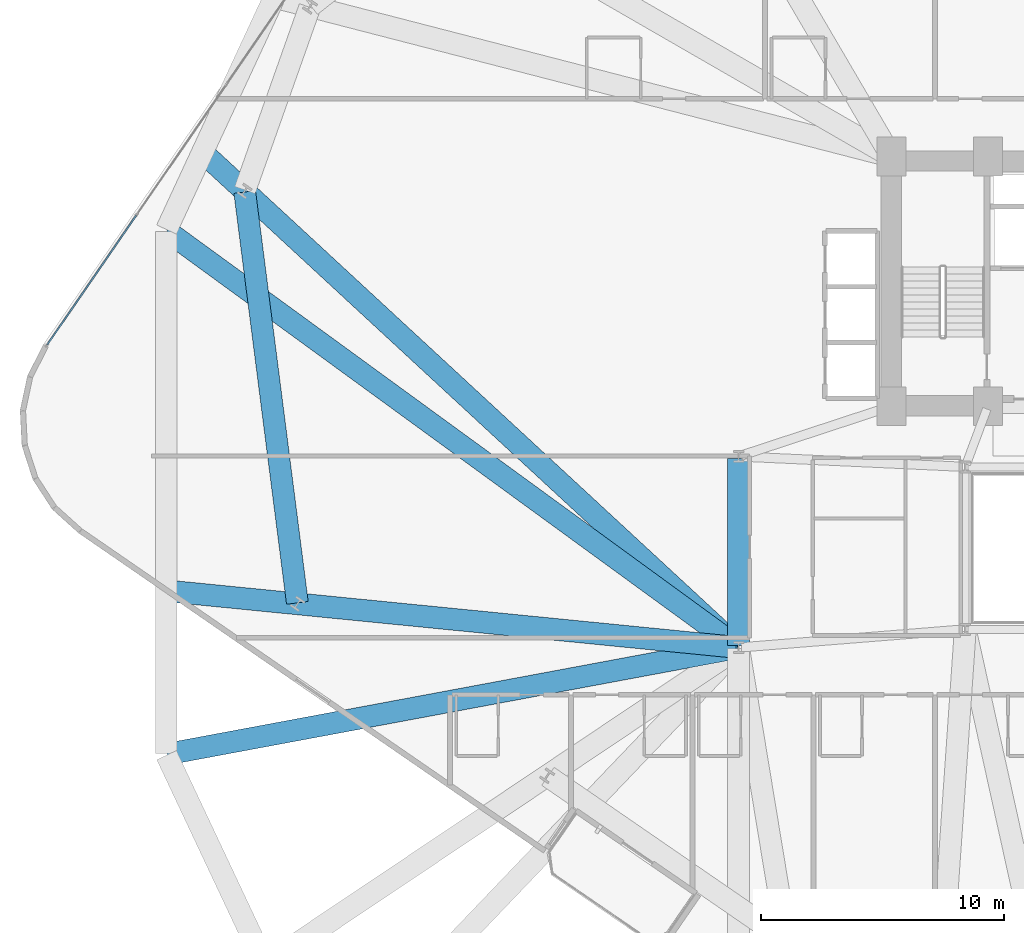
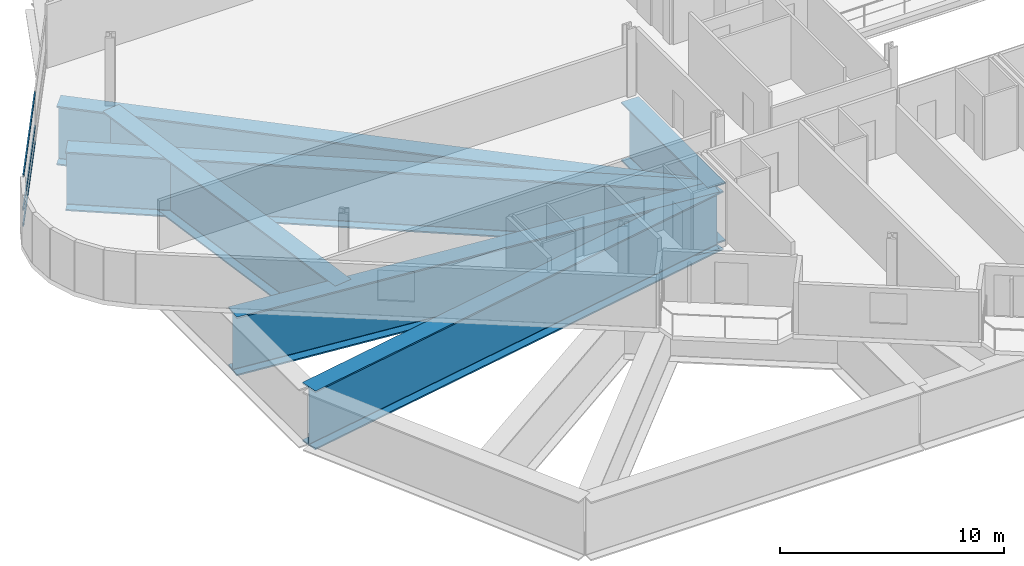
# One storey, part 3 of 26: 6 beams, 3 members, 1 element without a shape of its own.
"""IFC4 building model written with IfcOpenShell, lengths in metres."""

from ifc_helpers import new_model, si_unit, direction, frame, origin, origin_2d, place, context, subcontext, project, spatial, hollow_rectangle, i_section, extrude, material, layer, layer_set, material_profile, profile_set, type_object, element, aggregate, save


model = new_model("IFC4")

# Units and contexts
model_context = context("Model", 3, precision=1e-05, world=origin(), true_north=direction((0.0, 1.0)))
body_context = subcontext(model_context, "Body", "Model", "MODEL_VIEW")
ifc_project = project(units=[si_unit("LENGTHUNIT", "METRE"), si_unit("AREAUNIT", "SQUARE_METRE"), si_unit("VOLUMEUNIT", "CUBIC_METRE"), si_unit("PLANEANGLEUNIT", "RADIAN"), si_unit("MASSUNIT", "GRAM", prefix="KILO")], contexts=[model_context])

# Site, building, storey
site_placement = place(None, origin())
site = spatial("IfcSite", under=ifc_project, at=site_placement, CompositionType="ELEMENT")
building_placement = place(site_placement, origin())
building = spatial("IfcBuilding", under=site, at=building_placement, Name="Varnelok Gate Tower", CompositionType="ELEMENT")
storey_placement = place(building_placement, frame((0.0, 0.0, 27.0)))
storey = spatial("IfcBuildingStorey", under=building, at=storey_placement, Name="L05", CompositionType="ELEMENT", Elevation=27.0)

# Beams
ifc_material_1 = material(Name="Structural Steel ASTM A572 Grade 50", Category="steel")
ifc_material_profile_1 = material_profile(ifc_material_1, i_section(OverallWidth=0.89990234375, OverallDepth=3.199951171875, WebThickness=0.0400390625, FlangeThickness=0.074951171875, FilletRadius=0.030029296875, at=origin_2d()), Name="PG3200X900")
ifc_profile_set_1 = profile_set([ifc_material_profile_1], Name="Structural Steel ASTM A572 Grade 50")
beam_type = type_object("IfcBeamType", Name="BM-TR-PG3200", PredefinedType="BEAM", material=ifc_profile_set_1)
beam_1_placement = place(storey_placement, frame((24.39990234375, 18.8798828125, -1.85009765625), z_axis=(0.0, 1.0, 0.0), x_axis=(-1.0, 0.0, 0.0)))
element("IfcBeam", 1, at=beam_1_placement, inside=storey, type_object=beam_type, Name="L05 Wing Spine Transfer Header W", PredefinedType="BEAM", context=body_context, shape_type="SweptSolid", body=[
    extrude(i_section(OverallWidth=0.89990234375, OverallDepth=3.199951171875, WebThickness=0.0400390625, FlangeThickness=0.074951171875, FilletRadius=0.030029296875, at=origin_2d()), origin(), (0.0, 0.0, 1.0), 7.72021484375),
])
beam_2_placement = place(storey_placement, frame((24.36767578125, 18.823486328125, -1.85009765625), z_axis=(-0.80814477685, 0.588983887428, 0.0), x_axis=(-0.588983887428, -0.80814477685, 0.0)))
element("IfcBeam", 2, at=beam_2_placement, inside=storey, type_object=beam_type, Name="L05 Radial Transfer Main Girder 11", PredefinedType="BEAM", context=body_context, shape_type="SweptSolid", body=[
    extrude(i_section(OverallWidth=0.89990234375, OverallDepth=3.199951171875, WebThickness=0.0400390625, FlangeThickness=0.074951171875, FilletRadius=0.030029296875, at=origin_2d()), origin(), (0.0, 0.0, 1.0), 29.122802734375),
])
beam_3_placement = place(storey_placement, frame((24.360595703125, 18.792724609375, -1.85009765625), z_axis=(-0.983058927842, -0.183289782556, 0.0), x_axis=(0.183289782556, -0.983058927842, 0.0)))
element("IfcBeam", 3, at=beam_3_placement, inside=storey, type_object=beam_type, Name="L05 Radial Transfer Main Girder 12", PredefinedType="BEAM", context=body_context, shape_type="SweptSolid", body=[
    extrude(i_section(OverallWidth=0.89990234375, OverallDepth=3.199951171875, WebThickness=0.0400390625, FlangeThickness=0.074951171875, FilletRadius=0.030029296875, at=origin_2d()), origin(), (0.0, 0.0, 1.0), 23.926513671875),
])
beam_4_placement = place(storey_placement, frame((24.300537109375, 18.809814453125, -1.85009765625), z_axis=(-0.995122595835, 0.098645928748, 0.0), x_axis=(-0.098645928748, -0.995122595835, 0.0)))
element("IfcBeam", 4, at=beam_4_placement, inside=storey, type_object=beam_type, Name="L05 Column Transfer Carrier Girder 1", PredefinedType="BEAM", context=body_context, shape_type="SweptSolid", body=[
    extrude(i_section(OverallWidth=0.89990234375, OverallDepth=3.199951171875, WebThickness=0.0400390625, FlangeThickness=0.074951171875, FilletRadius=0.030029296875, at=origin_2d()), origin(), (0.0, 0.0, 1.0), 23.61572265625),
])
beam_5_placement = place(storey_placement, frame((24.32666015625, 18.867919921875, -1.85009765625), z_axis=(-0.734381441001, 0.678736988172, 0.0), x_axis=(-0.678736988172, -0.734381441001, 0.0)))
element("IfcBeam", 5, at=beam_5_placement, inside=storey, type_object=beam_type, Name="L05 Column Transfer Carrier Girder 16", PredefinedType="BEAM", context=body_context, shape_type="SweptSolid", body=[
    extrude(i_section(OverallWidth=0.89990234375, OverallDepth=3.199951171875, WebThickness=0.0400390625, FlangeThickness=0.074951171875, FilletRadius=0.030029296875, at=origin_2d()), origin(), (0.0, 0.0, 1.0), 29.997314453125),
])
beam_6_placement = place(storey_placement, frame((4.0380859375, 37.583984375, -1.85009765625), z_axis=(0.127128618509, -0.991886240632, 0.0), x_axis=(0.991886240632, 0.127128618509, 0.0)))
element("IfcBeam", 6, at=beam_6_placement, inside=storey, type_object=beam_type, Name="L05 Upper Perimeter Transfer Ring 16", PredefinedType="BEAM", context=body_context, shape_type="SweptSolid", body=[
    extrude(i_section(OverallWidth=0.89990234375, OverallDepth=3.199951171875, WebThickness=0.0400390625, FlangeThickness=0.074951171875, FilletRadius=0.030029296875, at=origin_2d()), origin(), (0.0, 0.0, 1.0), 17.080322265625),
])

# Curtain wall, members
ifc_material_2 = material(Name="Anodized Aluminum Alloy 6063-T6", Category="aluminium")
ifc_layer = layer(ifc_material_2, 0.179931640625)
ifc_layer_set = layer_set([ifc_layer], Name="Anodized Aluminum Alloy 6063-T6")
curtain_wall_type = type_object("IfcCurtainWallType", Name="CW3-HOTEL-VISION", PredefinedType="USERDEFINED", material=ifc_layer_set)
curtain_wall_placement = place(storey_placement, origin())
curtain_wall = element("IfcCurtainWall", 7, at=curtain_wall_placement, inside=storey, type_object=curtain_wall_type, Name="L05 West End Vision Curtain Wall", ObjectType="UNITISED CURTAIN WALL", PredefinedType="USERDEFINED")
ifc_material_profile_2 = material_profile(ifc_material_2, hollow_rectangle(XDim=0.06494140625, YDim=0.159912109375, WallThickness=0.00390625, at=origin_2d()), Name="ALU160X65X4")
ifc_profile_set_2 = profile_set([ifc_material_profile_2], Name="Anodized Aluminum Alloy 6063-T6")
member_type = type_object("IfcMemberType", Name="CW-TRAN-160", PredefinedType="USERDEFINED", material=ifc_profile_set_2)
member_1_placement = place(storey_placement, frame((-4.10546875, 31.287353515625, 0.032470703125), z_axis=(0.567255754851, 0.823541686006, 0.0), x_axis=(-0.823541686006, 0.567255754851, 0.0)))
member_1 = element("IfcMember", 8, at=member_1_placement, type_object=member_type, Name="CW3 transom 1.1", ObjectType="TRANSOM", PredefinedType="USERDEFINED", context=body_context, shape_type="SweptSolid", body=[
    extrude(hollow_rectangle(XDim=0.06494140625, YDim=0.159912109375, WallThickness=0.00390625, at=origin_2d()), origin(), (0.0, 0.0, 1.0), 6.46923828125),
])
member_2_placement = place(storey_placement, frame((-4.10546875, 31.287353515625, 0.89990234375), z_axis=(0.567255754851, 0.823541686006, 0.0), x_axis=(-0.823541686006, 0.567255754851, 0.0)))
member_2 = element("IfcMember", 9, at=member_2_placement, type_object=member_type, Name="CW3 transom 1.2", ObjectType="TRANSOM", PredefinedType="USERDEFINED", context=body_context, shape_type="SweptSolid", body=[
    extrude(hollow_rectangle(XDim=0.06494140625, YDim=0.159912109375, WallThickness=0.00390625, at=origin_2d()), origin(), (0.0, 0.0, 1.0), 6.46923828125),
])
member_3_placement = place(storey_placement, frame((-4.10546875, 31.287353515625, 2.697509765625), z_axis=(0.567255754851, 0.823541686006, 0.0), x_axis=(-0.823541686006, 0.567255754851, 0.0)))
member_3 = element("IfcMember", 10, at=member_3_placement, type_object=member_type, Name="CW3 transom 1.3", ObjectType="TRANSOM", PredefinedType="USERDEFINED", context=body_context, shape_type="SweptSolid", body=[
    extrude(hollow_rectangle(XDim=0.06494140625, YDim=0.159912109375, WallThickness=0.00390625, at=origin_2d()), origin(), (0.0, 0.0, 1.0), 6.46923828125),
])
aggregate(curtain_wall, [member_1, member_2, member_3])

save(model, "model.ifc")
